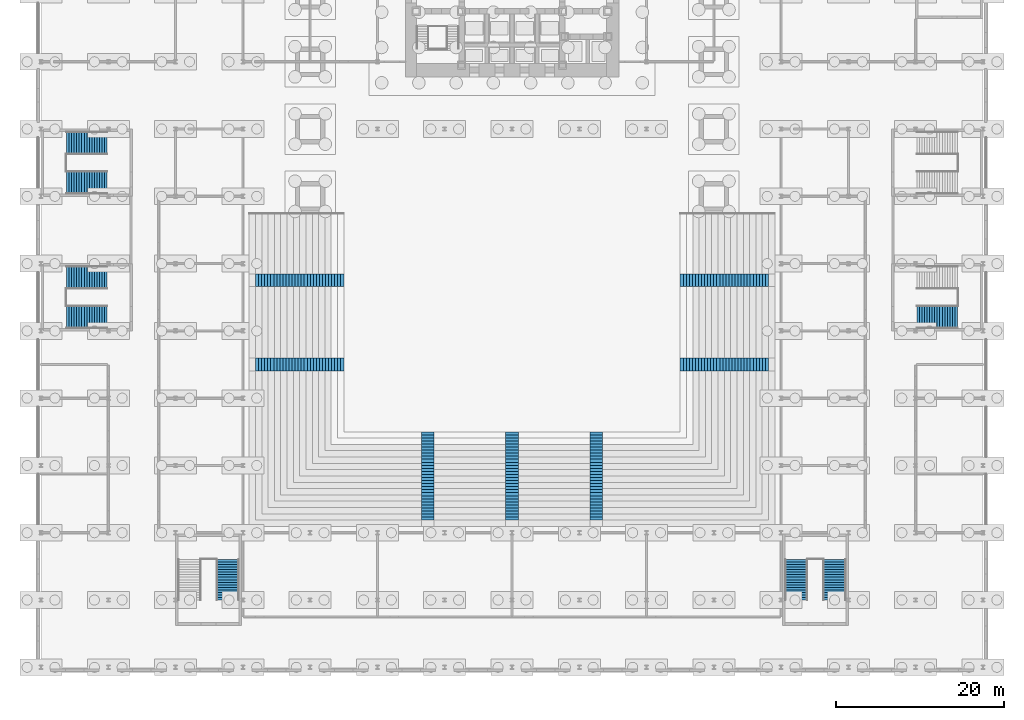
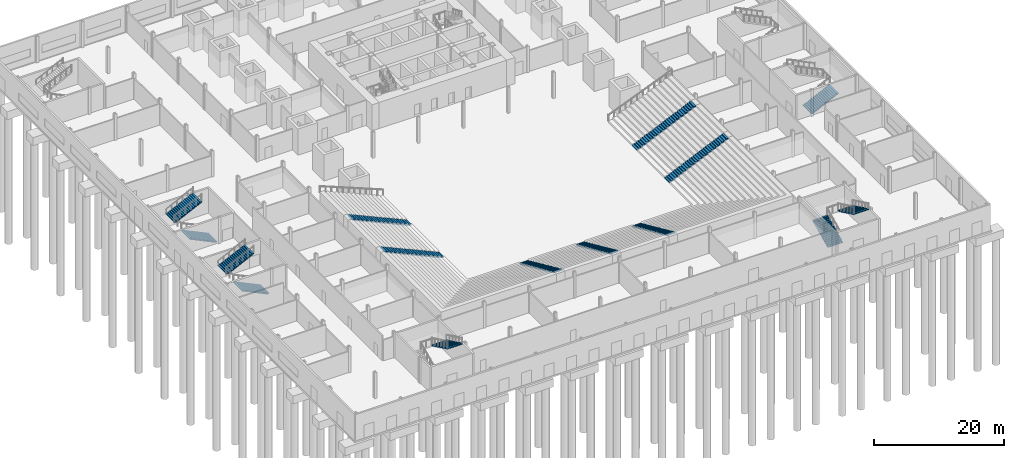
# One storey, part 19 of 24: 15 stair flights, 12 elements without a shape of their own.
"""IFC4 building model written with IfcOpenShell, lengths in metres."""

from ifc_helpers import new_model, si_unit, direction, frame, origin, place, context, subcontext, project, spatial, polyline, outline, extrude, material, type_object, element, aggregate, save


model = new_model("IFC4")

# Units and contexts
model_context = context("Model", 3, precision=1e-05, world=origin(), true_north=direction((0.0, 1.0)))
body_context = subcontext(model_context, "Body", "Model", "MODEL_VIEW")
ifc_project = project(units=[si_unit("LENGTHUNIT", "METRE"), si_unit("AREAUNIT", "SQUARE_METRE"), si_unit("VOLUMEUNIT", "CUBIC_METRE"), si_unit("PLANEANGLEUNIT", "RADIAN"), si_unit("MASSUNIT", "GRAM", prefix="KILO")], contexts=[model_context])

# Site, building, storey
site_placement = place(None, origin())
site = spatial("IfcSite", under=ifc_project, at=site_placement, CompositionType="ELEMENT")
building_placement = place(site_placement, origin())
building = spatial("IfcBuilding", under=site, at=building_placement, Name="Daluyong Arena Tower", CompositionType="ELEMENT")
storey_placement = place(building_placement, origin())
storey = spatial("IfcBuildingStorey", under=building, at=storey_placement, Name="L00", CompositionType="ELEMENT", Elevation=0.0)

# Stair, stair flight
ifc_material_1 = material(Name="Concrete fc' 35 MPa", Category="concrete")
stair_type_1 = type_object("IfcStairType", Name="Bowl aisle stair", PredefinedType="STRAIGHT_RUN_STAIR", material=ifc_material_1)
stair_1_placement = place(storey_placement, origin())
stair_1 = element("IfcStair", 1, at=stair_1_placement, inside=storey, type_object=stair_type_1, Name="lower bowl aisle stair", PredefinedType="STRAIGHT_RUN_STAIR")
ifc_material_2 = material(Name="Concrete fc' 35 MPa", Category="concrete")
stair_flight_type_1 = type_object("IfcStairFlightType", Name="Aisle stair flight", PredefinedType="STRAIGHT", material=ifc_material_2)
stair_flight_1_placement = place(storey_placement, frame((36.0, 36.0, 0.0), z_axis=(0.0, 0.0, 1.0), x_axis=(-1.0, 0.0, 0.0)))
stair_flight_1 = element("IfcStairFlight", 2, at=stair_flight_1_placement, type_object=stair_flight_type_1, Name="AS flight 1", NumberOfRisers=30, NumberOfTreads=29, PredefinedType="STRAIGHT", RiserHeight=0.163333333, TreadLength=0.362068966, context=body_context, shape_type="SweptSolid", body=[
    extrude(outline(polyline([(0.0, 0.0), (0.0, 0.163330078125), (0.362060546875, 0.163330078125), (0.362060546875, 0.32666015625), (0.72412109375, 0.32666015625), (0.72412109375, 0.489990234375), (1.086181640625, 0.489990234375), (1.086181640625, 0.6533203125), (1.4482421875, 0.6533203125), (1.4482421875, 0.816650390625), (1.810302734375, 0.816650390625), (1.810302734375, 0.97998046875), (2.17236328125, 0.97998046875), (2.17236328125, 1.143310546875), (2.534423828125, 1.143310546875), (2.534423828125, 1.306640625), (2.896484375, 1.306640625), (2.896484375, 1.469970703125), (3.258544921875, 1.469970703125), (3.258544921875, 1.63330078125), (3.62060546875, 1.63330078125), (3.62060546875, 1.796630859375), (3.982666015625, 1.796630859375), (3.982666015625, 1.9599609375), (4.3447265625, 1.9599609375), (4.3447265625, 2.123291015625), (4.706787109375, 2.123291015625), (4.706787109375, 2.28662109375), (5.06884765625, 2.28662109375), (5.06884765625, 2.449951171875), (5.43115234375, 2.449951171875), (5.43115234375, 2.61328125), (5.793212890625, 2.61328125), (5.793212890625, 2.776611328125), (6.1552734375, 2.776611328125), (6.1552734375, 2.93994140625), (6.517333984375, 2.93994140625), (6.517333984375, 3.103271484375), (6.87939453125, 3.103271484375), (6.87939453125, 3.2666015625), (7.241455078125, 3.2666015625), (7.241455078125, 3.429931640625), (7.603515625, 3.429931640625), (7.603515625, 3.59326171875), (7.965576171875, 3.59326171875), (7.965576171875, 3.756591796875), (8.32763671875, 3.756591796875), (8.32763671875, 3.919921875), (8.689697265625, 3.919921875), (8.689697265625, 4.083251953125), (9.0517578125, 4.083251953125), (9.0517578125, 4.24658203125), (9.413818359375, 4.24658203125), (9.413818359375, 4.409912109375), (9.77587890625, 4.409912109375), (9.77587890625, 4.5732421875), (10.137939453125, 4.5732421875), (10.137939453125, 4.736572265625), (10.5, 4.736572265625), (10.5, 4.89990234375), (10.5, 4.572265625), (0.364501953125, 0.0), (0.0, 0.0)])), frame((0.0, 0.75, 0.0), z_axis=(0.0, -1.0, 0.0), x_axis=(1.0, 0.0, 0.0)), (0.0, 0.0, 1.0), 1.5),
])
aggregate(stair_1, [stair_flight_1])

stair_2_placement = place(storey_placement, origin())
stair_2 = element("IfcStair", 3, at=stair_2_placement, inside=storey, type_object=stair_type_1, Name="lower bowl aisle stair", PredefinedType="STRAIGHT_RUN_STAIR")
stair_flight_2_placement = place(storey_placement, frame((36.0, 46.0, 0.0), z_axis=(0.0, 0.0, 1.0), x_axis=(-1.0, 0.0, 0.0)))
stair_flight_2 = element("IfcStairFlight", 4, at=stair_flight_2_placement, type_object=stair_flight_type_1, Name="AS flight 1", NumberOfRisers=30, NumberOfTreads=29, PredefinedType="STRAIGHT", RiserHeight=0.163333333, TreadLength=0.362068966, context=body_context, shape_type="SweptSolid", body=[
    extrude(outline(polyline([(0.0, 0.0), (0.0, 0.163330078125), (0.362060546875, 0.163330078125), (0.362060546875, 0.32666015625), (0.72412109375, 0.32666015625), (0.72412109375, 0.489990234375), (1.086181640625, 0.489990234375), (1.086181640625, 0.6533203125), (1.4482421875, 0.6533203125), (1.4482421875, 0.816650390625), (1.810302734375, 0.816650390625), (1.810302734375, 0.97998046875), (2.17236328125, 0.97998046875), (2.17236328125, 1.143310546875), (2.534423828125, 1.143310546875), (2.534423828125, 1.306640625), (2.896484375, 1.306640625), (2.896484375, 1.469970703125), (3.258544921875, 1.469970703125), (3.258544921875, 1.63330078125), (3.62060546875, 1.63330078125), (3.62060546875, 1.796630859375), (3.982666015625, 1.796630859375), (3.982666015625, 1.9599609375), (4.3447265625, 1.9599609375), (4.3447265625, 2.123291015625), (4.706787109375, 2.123291015625), (4.706787109375, 2.28662109375), (5.06884765625, 2.28662109375), (5.06884765625, 2.449951171875), (5.43115234375, 2.449951171875), (5.43115234375, 2.61328125), (5.793212890625, 2.61328125), (5.793212890625, 2.776611328125), (6.1552734375, 2.776611328125), (6.1552734375, 2.93994140625), (6.517333984375, 2.93994140625), (6.517333984375, 3.103271484375), (6.87939453125, 3.103271484375), (6.87939453125, 3.2666015625), (7.241455078125, 3.2666015625), (7.241455078125, 3.429931640625), (7.603515625, 3.429931640625), (7.603515625, 3.59326171875), (7.965576171875, 3.59326171875), (7.965576171875, 3.756591796875), (8.32763671875, 3.756591796875), (8.32763671875, 3.919921875), (8.689697265625, 3.919921875), (8.689697265625, 4.083251953125), (9.0517578125, 4.083251953125), (9.0517578125, 4.24658203125), (9.413818359375, 4.24658203125), (9.413818359375, 4.409912109375), (9.77587890625, 4.409912109375), (9.77587890625, 4.5732421875), (10.137939453125, 4.5732421875), (10.137939453125, 4.736572265625), (10.5, 4.736572265625), (10.5, 4.89990234375), (10.5, 4.572265625), (0.364501953125, 0.0), (0.0, 0.0)])), frame((0.0, 0.75, 0.0), z_axis=(0.0, -1.0, 0.0), x_axis=(1.0, 0.0, 0.0)), (0.0, 0.0, 1.0), 1.5),
])
aggregate(stair_2, [stair_flight_2])

stair_3_placement = place(storey_placement, origin())
stair_3 = element("IfcStair", 5, at=stair_3_placement, inside=storey, type_object=stair_type_1, Name="lower bowl aisle stair", PredefinedType="STRAIGHT_RUN_STAIR")
stair_flight_3_placement = place(storey_placement, frame((76.0, 36.0, 0.0), z_axis=(0.0, 0.0, 1.0), x_axis=(1.0, 0.0, 0.0)))
stair_flight_3 = element("IfcStairFlight", 6, at=stair_flight_3_placement, type_object=stair_flight_type_1, Name="AS flight 1", NumberOfRisers=30, NumberOfTreads=29, PredefinedType="STRAIGHT", RiserHeight=0.163333333, TreadLength=0.362068966, context=body_context, shape_type="SweptSolid", body=[
    extrude(outline(polyline([(0.0, 0.0), (0.0, 0.163330078125), (0.362060546875, 0.163330078125), (0.362060546875, 0.32666015625), (0.72412109375, 0.32666015625), (0.72412109375, 0.489990234375), (1.086181640625, 0.489990234375), (1.086181640625, 0.6533203125), (1.4482421875, 0.6533203125), (1.4482421875, 0.816650390625), (1.810302734375, 0.816650390625), (1.810302734375, 0.97998046875), (2.17236328125, 0.97998046875), (2.17236328125, 1.143310546875), (2.534423828125, 1.143310546875), (2.534423828125, 1.306640625), (2.896484375, 1.306640625), (2.896484375, 1.469970703125), (3.258544921875, 1.469970703125), (3.258544921875, 1.63330078125), (3.62060546875, 1.63330078125), (3.62060546875, 1.796630859375), (3.982666015625, 1.796630859375), (3.982666015625, 1.9599609375), (4.3447265625, 1.9599609375), (4.3447265625, 2.123291015625), (4.706787109375, 2.123291015625), (4.706787109375, 2.28662109375), (5.06884765625, 2.28662109375), (5.06884765625, 2.449951171875), (5.43115234375, 2.449951171875), (5.43115234375, 2.61328125), (5.793212890625, 2.61328125), (5.793212890625, 2.776611328125), (6.1552734375, 2.776611328125), (6.1552734375, 2.93994140625), (6.517333984375, 2.93994140625), (6.517333984375, 3.103271484375), (6.87939453125, 3.103271484375), (6.87939453125, 3.2666015625), (7.241455078125, 3.2666015625), (7.241455078125, 3.429931640625), (7.603515625, 3.429931640625), (7.603515625, 3.59326171875), (7.965576171875, 3.59326171875), (7.965576171875, 3.756591796875), (8.32763671875, 3.756591796875), (8.32763671875, 3.919921875), (8.689697265625, 3.919921875), (8.689697265625, 4.083251953125), (9.0517578125, 4.083251953125), (9.0517578125, 4.24658203125), (9.413818359375, 4.24658203125), (9.413818359375, 4.409912109375), (9.77587890625, 4.409912109375), (9.77587890625, 4.5732421875), (10.137939453125, 4.5732421875), (10.137939453125, 4.736572265625), (10.5, 4.736572265625), (10.5, 4.89990234375), (10.5, 4.572265625), (0.364501953125, 0.0), (0.0, 0.0)])), frame((0.0, 0.75, 0.0), z_axis=(0.0, -1.0, 0.0), x_axis=(1.0, 0.0, 0.0)), (0.0, 0.0, 1.0), 1.5),
])
aggregate(stair_3, [stair_flight_3])

stair_4_placement = place(storey_placement, origin())
stair_4 = element("IfcStair", 7, at=stair_4_placement, inside=storey, type_object=stair_type_1, Name="lower bowl aisle stair", PredefinedType="STRAIGHT_RUN_STAIR")
stair_flight_4_placement = place(storey_placement, frame((76.0, 46.0, 0.0), z_axis=(0.0, 0.0, 1.0), x_axis=(1.0, 0.0, 0.0)))
stair_flight_4 = element("IfcStairFlight", 8, at=stair_flight_4_placement, type_object=stair_flight_type_1, Name="AS flight 1", NumberOfRisers=30, NumberOfTreads=29, PredefinedType="STRAIGHT", RiserHeight=0.163333333, TreadLength=0.362068966, context=body_context, shape_type="SweptSolid", body=[
    extrude(outline(polyline([(0.0, 0.0), (0.0, 0.163330078125), (0.362060546875, 0.163330078125), (0.362060546875, 0.32666015625), (0.72412109375, 0.32666015625), (0.72412109375, 0.489990234375), (1.086181640625, 0.489990234375), (1.086181640625, 0.6533203125), (1.4482421875, 0.6533203125), (1.4482421875, 0.816650390625), (1.810302734375, 0.816650390625), (1.810302734375, 0.97998046875), (2.17236328125, 0.97998046875), (2.17236328125, 1.143310546875), (2.534423828125, 1.143310546875), (2.534423828125, 1.306640625), (2.896484375, 1.306640625), (2.896484375, 1.469970703125), (3.258544921875, 1.469970703125), (3.258544921875, 1.63330078125), (3.62060546875, 1.63330078125), (3.62060546875, 1.796630859375), (3.982666015625, 1.796630859375), (3.982666015625, 1.9599609375), (4.3447265625, 1.9599609375), (4.3447265625, 2.123291015625), (4.706787109375, 2.123291015625), (4.706787109375, 2.28662109375), (5.06884765625, 2.28662109375), (5.06884765625, 2.449951171875), (5.43115234375, 2.449951171875), (5.43115234375, 2.61328125), (5.793212890625, 2.61328125), (5.793212890625, 2.776611328125), (6.1552734375, 2.776611328125), (6.1552734375, 2.93994140625), (6.517333984375, 2.93994140625), (6.517333984375, 3.103271484375), (6.87939453125, 3.103271484375), (6.87939453125, 3.2666015625), (7.241455078125, 3.2666015625), (7.241455078125, 3.429931640625), (7.603515625, 3.429931640625), (7.603515625, 3.59326171875), (7.965576171875, 3.59326171875), (7.965576171875, 3.756591796875), (8.32763671875, 3.756591796875), (8.32763671875, 3.919921875), (8.689697265625, 3.919921875), (8.689697265625, 4.083251953125), (9.0517578125, 4.083251953125), (9.0517578125, 4.24658203125), (9.413818359375, 4.24658203125), (9.413818359375, 4.409912109375), (9.77587890625, 4.409912109375), (9.77587890625, 4.5732421875), (10.137939453125, 4.5732421875), (10.137939453125, 4.736572265625), (10.5, 4.736572265625), (10.5, 4.89990234375), (10.5, 4.572265625), (0.364501953125, 0.0), (0.0, 0.0)])), frame((0.0, 0.75, 0.0), z_axis=(0.0, -1.0, 0.0), x_axis=(1.0, 0.0, 0.0)), (0.0, 0.0, 1.0), 1.5),
])
aggregate(stair_4, [stair_flight_4])

stair_5_placement = place(storey_placement, origin())
stair_5 = element("IfcStair", 9, at=stair_5_placement, inside=storey, type_object=stair_type_1, Name="lower bowl aisle stair", PredefinedType="STRAIGHT_RUN_STAIR")
stair_flight_5_placement = place(storey_placement, frame((46.0, 28.0, 0.0), z_axis=(0.0, 0.0, 1.0), x_axis=(0.0, -1.0, 0.0)))
stair_flight_5 = element("IfcStairFlight", 10, at=stair_flight_5_placement, type_object=stair_flight_type_1, Name="AS flight 1", NumberOfRisers=30, NumberOfTreads=29, PredefinedType="STRAIGHT", RiserHeight=0.163333333, TreadLength=0.362068966, context=body_context, shape_type="SweptSolid", body=[
    extrude(outline(polyline([(0.0, 0.0), (0.0, 0.163330078125), (0.362060546875, 0.163330078125), (0.362060546875, 0.32666015625), (0.72412109375, 0.32666015625), (0.72412109375, 0.489990234375), (1.086181640625, 0.489990234375), (1.086181640625, 0.6533203125), (1.4482421875, 0.6533203125), (1.4482421875, 0.816650390625), (1.810302734375, 0.816650390625), (1.810302734375, 0.97998046875), (2.17236328125, 0.97998046875), (2.17236328125, 1.143310546875), (2.534423828125, 1.143310546875), (2.534423828125, 1.306640625), (2.896484375, 1.306640625), (2.896484375, 1.469970703125), (3.258544921875, 1.469970703125), (3.258544921875, 1.63330078125), (3.62060546875, 1.63330078125), (3.62060546875, 1.796630859375), (3.982666015625, 1.796630859375), (3.982666015625, 1.9599609375), (4.3447265625, 1.9599609375), (4.3447265625, 2.123291015625), (4.706787109375, 2.123291015625), (4.706787109375, 2.28662109375), (5.06884765625, 2.28662109375), (5.06884765625, 2.449951171875), (5.43115234375, 2.449951171875), (5.43115234375, 2.61328125), (5.793212890625, 2.61328125), (5.793212890625, 2.776611328125), (6.1552734375, 2.776611328125), (6.1552734375, 2.93994140625), (6.517333984375, 2.93994140625), (6.517333984375, 3.103271484375), (6.87939453125, 3.103271484375), (6.87939453125, 3.2666015625), (7.241455078125, 3.2666015625), (7.241455078125, 3.429931640625), (7.603515625, 3.429931640625), (7.603515625, 3.59326171875), (7.965576171875, 3.59326171875), (7.965576171875, 3.756591796875), (8.32763671875, 3.756591796875), (8.32763671875, 3.919921875), (8.689697265625, 3.919921875), (8.689697265625, 4.083251953125), (9.0517578125, 4.083251953125), (9.0517578125, 4.24658203125), (9.413818359375, 4.24658203125), (9.413818359375, 4.409912109375), (9.77587890625, 4.409912109375), (9.77587890625, 4.5732421875), (10.137939453125, 4.5732421875), (10.137939453125, 4.736572265625), (10.5, 4.736572265625), (10.5, 4.89990234375), (10.5, 4.572265625), (0.364501953125, 0.0), (0.0, 0.0)])), frame((0.0, 0.75, 0.0), z_axis=(0.0, -1.0, 0.0), x_axis=(1.0, 0.0, 0.0)), (0.0, 0.0, 1.0), 1.5),
])
aggregate(stair_5, [stair_flight_5])

stair_6_placement = place(storey_placement, origin())
stair_6 = element("IfcStair", 11, at=stair_6_placement, inside=storey, type_object=stair_type_1, Name="lower bowl aisle stair", PredefinedType="STRAIGHT_RUN_STAIR")
stair_flight_6_placement = place(storey_placement, frame((56.0, 28.0, 0.0), z_axis=(0.0, 0.0, 1.0), x_axis=(0.0, -1.0, 0.0)))
stair_flight_6 = element("IfcStairFlight", 12, at=stair_flight_6_placement, type_object=stair_flight_type_1, Name="AS flight 1", NumberOfRisers=30, NumberOfTreads=29, PredefinedType="STRAIGHT", RiserHeight=0.163333333, TreadLength=0.362068966, context=body_context, shape_type="SweptSolid", body=[
    extrude(outline(polyline([(0.0, 0.0), (0.0, 0.163330078125), (0.362060546875, 0.163330078125), (0.362060546875, 0.32666015625), (0.72412109375, 0.32666015625), (0.72412109375, 0.489990234375), (1.086181640625, 0.489990234375), (1.086181640625, 0.6533203125), (1.4482421875, 0.6533203125), (1.4482421875, 0.816650390625), (1.810302734375, 0.816650390625), (1.810302734375, 0.97998046875), (2.17236328125, 0.97998046875), (2.17236328125, 1.143310546875), (2.534423828125, 1.143310546875), (2.534423828125, 1.306640625), (2.896484375, 1.306640625), (2.896484375, 1.469970703125), (3.258544921875, 1.469970703125), (3.258544921875, 1.63330078125), (3.62060546875, 1.63330078125), (3.62060546875, 1.796630859375), (3.982666015625, 1.796630859375), (3.982666015625, 1.9599609375), (4.3447265625, 1.9599609375), (4.3447265625, 2.123291015625), (4.706787109375, 2.123291015625), (4.706787109375, 2.28662109375), (5.06884765625, 2.28662109375), (5.06884765625, 2.449951171875), (5.43115234375, 2.449951171875), (5.43115234375, 2.61328125), (5.793212890625, 2.61328125), (5.793212890625, 2.776611328125), (6.1552734375, 2.776611328125), (6.1552734375, 2.93994140625), (6.517333984375, 2.93994140625), (6.517333984375, 3.103271484375), (6.87939453125, 3.103271484375), (6.87939453125, 3.2666015625), (7.241455078125, 3.2666015625), (7.241455078125, 3.429931640625), (7.603515625, 3.429931640625), (7.603515625, 3.59326171875), (7.965576171875, 3.59326171875), (7.965576171875, 3.756591796875), (8.32763671875, 3.756591796875), (8.32763671875, 3.919921875), (8.689697265625, 3.919921875), (8.689697265625, 4.083251953125), (9.0517578125, 4.083251953125), (9.0517578125, 4.24658203125), (9.413818359375, 4.24658203125), (9.413818359375, 4.409912109375), (9.77587890625, 4.409912109375), (9.77587890625, 4.5732421875), (10.137939453125, 4.5732421875), (10.137939453125, 4.736572265625), (10.5, 4.736572265625), (10.5, 4.89990234375), (10.5, 4.572265625), (0.364501953125, 0.0), (0.0, 0.0)])), frame((0.0, 0.75, 0.0), z_axis=(0.0, -1.0, 0.0), x_axis=(1.0, 0.0, 0.0)), (0.0, 0.0, 1.0), 1.5),
])
aggregate(stair_6, [stair_flight_6])

stair_7_placement = place(storey_placement, origin())
stair_7 = element("IfcStair", 13, at=stair_7_placement, inside=storey, type_object=stair_type_1, Name="lower bowl aisle stair", PredefinedType="STRAIGHT_RUN_STAIR")
stair_flight_7_placement = place(storey_placement, frame((66.0, 28.0, 0.0), z_axis=(0.0, 0.0, 1.0), x_axis=(0.0, -1.0, 0.0)))
stair_flight_7 = element("IfcStairFlight", 14, at=stair_flight_7_placement, type_object=stair_flight_type_1, Name="AS flight 1", NumberOfRisers=30, NumberOfTreads=29, PredefinedType="STRAIGHT", RiserHeight=0.163333333, TreadLength=0.362068966, context=body_context, shape_type="SweptSolid", body=[
    extrude(outline(polyline([(0.0, 0.0), (0.0, 0.163330078125), (0.362060546875, 0.163330078125), (0.362060546875, 0.32666015625), (0.72412109375, 0.32666015625), (0.72412109375, 0.489990234375), (1.086181640625, 0.489990234375), (1.086181640625, 0.6533203125), (1.4482421875, 0.6533203125), (1.4482421875, 0.816650390625), (1.810302734375, 0.816650390625), (1.810302734375, 0.97998046875), (2.17236328125, 0.97998046875), (2.17236328125, 1.143310546875), (2.534423828125, 1.143310546875), (2.534423828125, 1.306640625), (2.896484375, 1.306640625), (2.896484375, 1.469970703125), (3.258544921875, 1.469970703125), (3.258544921875, 1.63330078125), (3.62060546875, 1.63330078125), (3.62060546875, 1.796630859375), (3.982666015625, 1.796630859375), (3.982666015625, 1.9599609375), (4.3447265625, 1.9599609375), (4.3447265625, 2.123291015625), (4.706787109375, 2.123291015625), (4.706787109375, 2.28662109375), (5.06884765625, 2.28662109375), (5.06884765625, 2.449951171875), (5.43115234375, 2.449951171875), (5.43115234375, 2.61328125), (5.793212890625, 2.61328125), (5.793212890625, 2.776611328125), (6.1552734375, 2.776611328125), (6.1552734375, 2.93994140625), (6.517333984375, 2.93994140625), (6.517333984375, 3.103271484375), (6.87939453125, 3.103271484375), (6.87939453125, 3.2666015625), (7.241455078125, 3.2666015625), (7.241455078125, 3.429931640625), (7.603515625, 3.429931640625), (7.603515625, 3.59326171875), (7.965576171875, 3.59326171875), (7.965576171875, 3.756591796875), (8.32763671875, 3.756591796875), (8.32763671875, 3.919921875), (8.689697265625, 3.919921875), (8.689697265625, 4.083251953125), (9.0517578125, 4.083251953125), (9.0517578125, 4.24658203125), (9.413818359375, 4.24658203125), (9.413818359375, 4.409912109375), (9.77587890625, 4.409912109375), (9.77587890625, 4.5732421875), (10.137939453125, 4.5732421875), (10.137939453125, 4.736572265625), (10.5, 4.736572265625), (10.5, 4.89990234375), (10.5, 4.572265625), (0.364501953125, 0.0), (0.0, 0.0)])), frame((0.0, 0.75, 0.0), z_axis=(0.0, -1.0, 0.0), x_axis=(1.0, 0.0, 0.0)), (0.0, 0.0, 1.0), 1.5),
])
aggregate(stair_7, [stair_flight_7])

ifc_material_3 = material(Name="Concrete fc' 35 MPa", Category="concrete")
stair_type_2 = type_object("IfcStairType", Name="Podium exit stair", PredefinedType="HALF_TURN_STAIR", material=ifc_material_3)
stair_8_placement = place(storey_placement, origin())
stair_8 = element("IfcStair", 15, at=stair_8_placement, inside=storey, type_object=stair_type_2, Name="exit stair PS1 L00", PredefinedType="HALF_TURN_STAIR")
ifc_material_4 = material(Name="Concrete fc' 35 MPa", Category="concrete")
stair_flight_type_2 = type_object("IfcStairFlightType", Name="Podium stair flight", PredefinedType="STRAIGHT", material=ifc_material_4)
stair_flight_8_placement = place(storey_placement, frame((22.199951171875, 12.81005859375, 2.449951171875), z_axis=(0.0, 0.0, 1.0), x_axis=(0.0, -1.0, 0.0)))
stair_flight_8 = element("IfcStairFlight", 16, at=stair_flight_8_placement, type_object=stair_flight_type_2, Name="PS1 flight 2", NumberOfRisers=17, NumberOfTreads=16, PredefinedType="STRAIGHT", RiserHeight=0.144117647, TreadLength=0.3, context=body_context, shape_type="SweptSolid", body=[
    extrude(outline(polyline([(0.0, 0.0), (0.0, 0.14404296875), (0.300048828125, 0.14404296875), (0.300048828125, 0.288330078125), (0.60009765625, 0.288330078125), (0.60009765625, 0.432373046875), (0.89990234375, 0.432373046875), (0.89990234375, 0.576416015625), (1.199951171875, 0.576416015625), (1.199951171875, 0.720703125), (1.5, 0.720703125), (1.5, 0.86474609375), (1.800048828125, 0.86474609375), (1.800048828125, 1.0087890625), (2.10009765625, 1.0087890625), (2.10009765625, 1.15283203125), (2.39990234375, 1.15283203125), (2.39990234375, 1.297119140625), (2.699951171875, 1.297119140625), (2.699951171875, 1.441162109375), (3.0, 1.441162109375), (3.0, 1.585205078125), (3.300048828125, 1.585205078125), (3.300048828125, 1.7294921875), (3.60009765625, 1.7294921875), (3.60009765625, 1.87353515625), (3.89990234375, 1.87353515625), (3.89990234375, 2.017578125), (4.199951171875, 2.017578125), (4.199951171875, 2.161865234375), (4.5, 2.161865234375), (4.5, 2.305908203125), (4.800048828125, 2.305908203125), (4.800048828125, 2.449951171875), (4.800048828125, 2.1396484375), (0.34619140625, 0.0), (0.0, 0.0)])), frame((0.0, 1.35009765625, 0.0), z_axis=(0.0, -1.0, 0.0), x_axis=(1.0, 0.0, 0.0)), (0.0, 0.0, 1.0), 2.699951171875),
])
aggregate(stair_8, [stair_flight_8])

# Stair, stair flights
stair_9_placement = place(storey_placement, origin())
stair_9 = element("IfcStair", 17, at=stair_9_placement, inside=storey, type_object=stair_type_2, Name="exit stair PS2 L00", PredefinedType="HALF_TURN_STAIR")
stair_flight_9_placement = place(storey_placement, frame((89.800048828125, 8.010009765625, 0.0), z_axis=(0.0, 0.0, 1.0), x_axis=(0.0, 1.0, 0.0)))
stair_flight_9 = element("IfcStairFlight", 18, at=stair_flight_9_placement, type_object=stair_flight_type_2, Name="PS2 flight 1", NumberOfRisers=17, NumberOfTreads=16, PredefinedType="STRAIGHT", RiserHeight=0.144117647, TreadLength=0.3, context=body_context, shape_type="SweptSolid", body=[
    extrude(outline(polyline([(0.0, 0.0), (0.0, 0.14404296875), (0.300048828125, 0.14404296875), (0.300048828125, 0.288330078125), (0.60009765625, 0.288330078125), (0.60009765625, 0.432373046875), (0.89990234375, 0.432373046875), (0.89990234375, 0.576416015625), (1.199951171875, 0.576416015625), (1.199951171875, 0.720703125), (1.5, 0.720703125), (1.5, 0.86474609375), (1.800048828125, 0.86474609375), (1.800048828125, 1.0087890625), (2.10009765625, 1.0087890625), (2.10009765625, 1.15283203125), (2.39990234375, 1.15283203125), (2.39990234375, 1.297119140625), (2.699951171875, 1.297119140625), (2.699951171875, 1.441162109375), (3.0, 1.441162109375), (3.0, 1.585205078125), (3.300048828125, 1.585205078125), (3.300048828125, 1.7294921875), (3.60009765625, 1.7294921875), (3.60009765625, 1.87353515625), (3.89990234375, 1.87353515625), (3.89990234375, 2.017578125), (4.199951171875, 2.017578125), (4.199951171875, 2.161865234375), (4.5, 2.161865234375), (4.5, 2.305908203125), (4.800048828125, 2.305908203125), (4.800048828125, 2.449951171875), (4.800048828125, 2.1396484375), (0.34619140625, 0.0), (0.0, 0.0)])), frame((0.0, 1.35009765625, 0.0), z_axis=(0.0, -1.0, 0.0), x_axis=(1.0, 0.0, 0.0)), (0.0, 0.0, 1.0), 2.699951171875),
])
stair_flight_10_placement = place(storey_placement, frame((94.35009765625, 12.81005859375, 2.449951171875), z_axis=(0.0, 0.0, 1.0), x_axis=(0.0, -1.0, 0.0)))
stair_flight_10 = element("IfcStairFlight", 19, at=stair_flight_10_placement, type_object=stair_flight_type_2, Name="PS2 flight 2", NumberOfRisers=17, NumberOfTreads=16, PredefinedType="STRAIGHT", RiserHeight=0.144117647, TreadLength=0.3, context=body_context, shape_type="SweptSolid", body=[
    extrude(outline(polyline([(0.0, 0.0), (0.0, 0.14404296875), (0.300048828125, 0.14404296875), (0.300048828125, 0.288330078125), (0.60009765625, 0.288330078125), (0.60009765625, 0.432373046875), (0.89990234375, 0.432373046875), (0.89990234375, 0.576416015625), (1.199951171875, 0.576416015625), (1.199951171875, 0.720703125), (1.5, 0.720703125), (1.5, 0.86474609375), (1.800048828125, 0.86474609375), (1.800048828125, 1.0087890625), (2.10009765625, 1.0087890625), (2.10009765625, 1.15283203125), (2.39990234375, 1.15283203125), (2.39990234375, 1.297119140625), (2.699951171875, 1.297119140625), (2.699951171875, 1.441162109375), (3.0, 1.441162109375), (3.0, 1.585205078125), (3.300048828125, 1.585205078125), (3.300048828125, 1.7294921875), (3.60009765625, 1.7294921875), (3.60009765625, 1.87353515625), (3.89990234375, 1.87353515625), (3.89990234375, 2.017578125), (4.199951171875, 2.017578125), (4.199951171875, 2.161865234375), (4.5, 2.161865234375), (4.5, 2.305908203125), (4.800048828125, 2.305908203125), (4.800048828125, 2.449951171875), (4.800048828125, 2.1396484375), (0.34619140625, 0.0), (0.0, 0.0)])), frame((0.0, 1.35009765625, 0.0), z_axis=(0.0, -1.0, 0.0), x_axis=(1.0, 0.0, 0.0)), (0.0, 0.0, 1.0), 2.699951171875),
])
aggregate(stair_9, [stair_flight_9, stair_flight_10])

stair_10_placement = place(storey_placement, origin())
stair_10 = element("IfcStair", 20, at=stair_10_placement, inside=storey, type_object=stair_type_2, Name="exit stair PS3 L00", PredefinedType="HALF_TURN_STAIR")
stair_flight_11_placement = place(storey_placement, frame((7.840087890625, 41.64990234375, 0.0), z_axis=(0.0, 0.0, 1.0), x_axis=(-1.0, 0.0, 0.0)))
stair_flight_11 = element("IfcStairFlight", 21, at=stair_flight_11_placement, type_object=stair_flight_type_2, Name="PS3 flight 1", NumberOfRisers=17, NumberOfTreads=16, PredefinedType="STRAIGHT", RiserHeight=0.144117647, TreadLength=0.3, context=body_context, shape_type="SweptSolid", body=[
    extrude(outline(polyline([(0.0, 0.0), (0.0, 0.14404296875), (0.300048828125, 0.14404296875), (0.300048828125, 0.288330078125), (0.60009765625, 0.288330078125), (0.60009765625, 0.432373046875), (0.89990234375, 0.432373046875), (0.89990234375, 0.576416015625), (1.199951171875, 0.576416015625), (1.199951171875, 0.720703125), (1.5, 0.720703125), (1.5, 0.86474609375), (1.800048828125, 0.86474609375), (1.800048828125, 1.0087890625), (2.10009765625, 1.0087890625), (2.10009765625, 1.15283203125), (2.39990234375, 1.15283203125), (2.39990234375, 1.297119140625), (2.699951171875, 1.297119140625), (2.699951171875, 1.441162109375), (3.0, 1.441162109375), (3.0, 1.585205078125), (3.300048828125, 1.585205078125), (3.300048828125, 1.7294921875), (3.60009765625, 1.7294921875), (3.60009765625, 1.87353515625), (3.89990234375, 1.87353515625), (3.89990234375, 2.017578125), (4.199951171875, 2.017578125), (4.199951171875, 2.161865234375), (4.5, 2.161865234375), (4.5, 2.305908203125), (4.800048828125, 2.305908203125), (4.800048828125, 2.449951171875), (4.800048828125, 2.1396484375), (0.34619140625, 0.0), (0.0, 0.0)])), frame((0.0, 1.35009765625, 0.0), z_axis=(0.0, -1.0, 0.0), x_axis=(1.0, 0.0, 0.0)), (0.0, 0.0, 1.0), 2.699951171875),
])
stair_flight_12_placement = place(storey_placement, frame((3.0400390625, 46.35009765625, 2.449951171875), z_axis=(0.0, 0.0, 1.0), x_axis=(1.0, 0.0, 0.0)))
stair_flight_12 = element("IfcStairFlight", 22, at=stair_flight_12_placement, type_object=stair_flight_type_2, Name="PS3 flight 2", NumberOfRisers=17, NumberOfTreads=16, PredefinedType="STRAIGHT", RiserHeight=0.144117647, TreadLength=0.3, context=body_context, shape_type="SweptSolid", body=[
    extrude(outline(polyline([(0.0, 0.0), (0.0, 0.14404296875), (0.300048828125, 0.14404296875), (0.300048828125, 0.288330078125), (0.60009765625, 0.288330078125), (0.60009765625, 0.432373046875), (0.89990234375, 0.432373046875), (0.89990234375, 0.576416015625), (1.199951171875, 0.576416015625), (1.199951171875, 0.720703125), (1.5, 0.720703125), (1.5, 0.86474609375), (1.800048828125, 0.86474609375), (1.800048828125, 1.0087890625), (2.10009765625, 1.0087890625), (2.10009765625, 1.15283203125), (2.39990234375, 1.15283203125), (2.39990234375, 1.297119140625), (2.699951171875, 1.297119140625), (2.699951171875, 1.441162109375), (3.0, 1.441162109375), (3.0, 1.585205078125), (3.300048828125, 1.585205078125), (3.300048828125, 1.7294921875), (3.60009765625, 1.7294921875), (3.60009765625, 1.87353515625), (3.89990234375, 1.87353515625), (3.89990234375, 2.017578125), (4.199951171875, 2.017578125), (4.199951171875, 2.161865234375), (4.5, 2.161865234375), (4.5, 2.305908203125), (4.800048828125, 2.305908203125), (4.800048828125, 2.449951171875), (4.800048828125, 2.1396484375), (0.34619140625, 0.0), (0.0, 0.0)])), frame((0.0, 1.35009765625, 0.0), z_axis=(0.0, -1.0, 0.0), x_axis=(1.0, 0.0, 0.0)), (0.0, 0.0, 1.0), 2.699951171875),
])
aggregate(stair_10, [stair_flight_11, stair_flight_12])

# Stair, stair flight
stair_11_placement = place(storey_placement, origin())
stair_11 = element("IfcStair", 23, at=stair_11_placement, inside=storey, type_object=stair_type_2, Name="exit stair PS4 L00", PredefinedType="HALF_TURN_STAIR")
stair_flight_13_placement = place(storey_placement, frame((104.159912109375, 41.64990234375, 0.0), z_axis=(0.0, 0.0, 1.0), x_axis=(1.0, 0.0, 0.0)))
stair_flight_13 = element("IfcStairFlight", 24, at=stair_flight_13_placement, type_object=stair_flight_type_2, Name="PS4 flight 1", NumberOfRisers=17, NumberOfTreads=16, PredefinedType="STRAIGHT", RiserHeight=0.144117647, TreadLength=0.3, context=body_context, shape_type="SweptSolid", body=[
    extrude(outline(polyline([(0.0, 0.0), (0.0, 0.14404296875), (0.300048828125, 0.14404296875), (0.300048828125, 0.288330078125), (0.60009765625, 0.288330078125), (0.60009765625, 0.432373046875), (0.89990234375, 0.432373046875), (0.89990234375, 0.576416015625), (1.199951171875, 0.576416015625), (1.199951171875, 0.720703125), (1.5, 0.720703125), (1.5, 0.86474609375), (1.800048828125, 0.86474609375), (1.800048828125, 1.0087890625), (2.10009765625, 1.0087890625), (2.10009765625, 1.15283203125), (2.39990234375, 1.15283203125), (2.39990234375, 1.297119140625), (2.699951171875, 1.297119140625), (2.699951171875, 1.441162109375), (3.0, 1.441162109375), (3.0, 1.585205078125), (3.300048828125, 1.585205078125), (3.300048828125, 1.7294921875), (3.60009765625, 1.7294921875), (3.60009765625, 1.87353515625), (3.89990234375, 1.87353515625), (3.89990234375, 2.017578125), (4.199951171875, 2.017578125), (4.199951171875, 2.161865234375), (4.5, 2.161865234375), (4.5, 2.305908203125), (4.800048828125, 2.305908203125), (4.800048828125, 2.449951171875), (4.800048828125, 2.1396484375), (0.34619140625, 0.0), (0.0, 0.0)])), frame((0.0, 1.35009765625, 0.0), z_axis=(0.0, -1.0, 0.0), x_axis=(1.0, 0.0, 0.0)), (0.0, 0.0, 1.0), 2.699951171875),
])
aggregate(stair_11, [stair_flight_13])

# Stair, stair flights
stair_12_placement = place(storey_placement, origin())
stair_12 = element("IfcStair", 25, at=stair_12_placement, inside=storey, type_object=stair_type_2, Name="exit stair PS7 L00", PredefinedType="HALF_TURN_STAIR")
stair_flight_14_placement = place(storey_placement, frame((7.840087890625, 57.64990234375, 0.0), z_axis=(0.0, 0.0, 1.0), x_axis=(-1.0, 0.0, 0.0)))
stair_flight_14 = element("IfcStairFlight", 26, at=stair_flight_14_placement, type_object=stair_flight_type_2, Name="PS7 flight 1", NumberOfRisers=17, NumberOfTreads=16, PredefinedType="STRAIGHT", RiserHeight=0.144117647, TreadLength=0.3, context=body_context, shape_type="SweptSolid", body=[
    extrude(outline(polyline([(0.0, 0.0), (0.0, 0.14404296875), (0.300048828125, 0.14404296875), (0.300048828125, 0.288330078125), (0.60009765625, 0.288330078125), (0.60009765625, 0.432373046875), (0.89990234375, 0.432373046875), (0.89990234375, 0.576416015625), (1.199951171875, 0.576416015625), (1.199951171875, 0.720703125), (1.5, 0.720703125), (1.5, 0.86474609375), (1.800048828125, 0.86474609375), (1.800048828125, 1.0087890625), (2.10009765625, 1.0087890625), (2.10009765625, 1.15283203125), (2.39990234375, 1.15283203125), (2.39990234375, 1.297119140625), (2.699951171875, 1.297119140625), (2.699951171875, 1.441162109375), (3.0, 1.441162109375), (3.0, 1.585205078125), (3.300048828125, 1.585205078125), (3.300048828125, 1.7294921875), (3.60009765625, 1.7294921875), (3.60009765625, 1.87353515625), (3.89990234375, 1.87353515625), (3.89990234375, 2.017578125), (4.199951171875, 2.017578125), (4.199951171875, 2.161865234375), (4.5, 2.161865234375), (4.5, 2.305908203125), (4.800048828125, 2.305908203125), (4.800048828125, 2.449951171875), (4.800048828125, 2.1396484375), (0.34619140625, 0.0), (0.0, 0.0)])), frame((0.0, 1.35009765625, 0.0), z_axis=(0.0, -1.0, 0.0), x_axis=(1.0, 0.0, 0.0)), (0.0, 0.0, 1.0), 2.699951171875),
])
stair_flight_15_placement = place(storey_placement, frame((3.0400390625, 62.35009765625, 2.449951171875), z_axis=(0.0, 0.0, 1.0), x_axis=(1.0, 0.0, 0.0)))
stair_flight_15 = element("IfcStairFlight", 27, at=stair_flight_15_placement, type_object=stair_flight_type_2, Name="PS7 flight 2", NumberOfRisers=17, NumberOfTreads=16, PredefinedType="STRAIGHT", RiserHeight=0.144117647, TreadLength=0.3, context=body_context, shape_type="SweptSolid", body=[
    extrude(outline(polyline([(0.0, 0.0), (0.0, 0.14404296875), (0.300048828125, 0.14404296875), (0.300048828125, 0.288330078125), (0.60009765625, 0.288330078125), (0.60009765625, 0.432373046875), (0.89990234375, 0.432373046875), (0.89990234375, 0.576416015625), (1.199951171875, 0.576416015625), (1.199951171875, 0.720703125), (1.5, 0.720703125), (1.5, 0.86474609375), (1.800048828125, 0.86474609375), (1.800048828125, 1.0087890625), (2.10009765625, 1.0087890625), (2.10009765625, 1.15283203125), (2.39990234375, 1.15283203125), (2.39990234375, 1.297119140625), (2.699951171875, 1.297119140625), (2.699951171875, 1.441162109375), (3.0, 1.441162109375), (3.0, 1.585205078125), (3.300048828125, 1.585205078125), (3.300048828125, 1.7294921875), (3.60009765625, 1.7294921875), (3.60009765625, 1.87353515625), (3.89990234375, 1.87353515625), (3.89990234375, 2.017578125), (4.199951171875, 2.017578125), (4.199951171875, 2.161865234375), (4.5, 2.161865234375), (4.5, 2.305908203125), (4.800048828125, 2.305908203125), (4.800048828125, 2.449951171875), (4.800048828125, 2.1396484375), (0.34619140625, 0.0), (0.0, 0.0)])), frame((0.0, 1.35009765625, 0.0), z_axis=(0.0, -1.0, 0.0), x_axis=(1.0, 0.0, 0.0)), (0.0, 0.0, 1.0), 2.699951171875),
])
aggregate(stair_12, [stair_flight_14, stair_flight_15])

save(model, "model.ifc")
